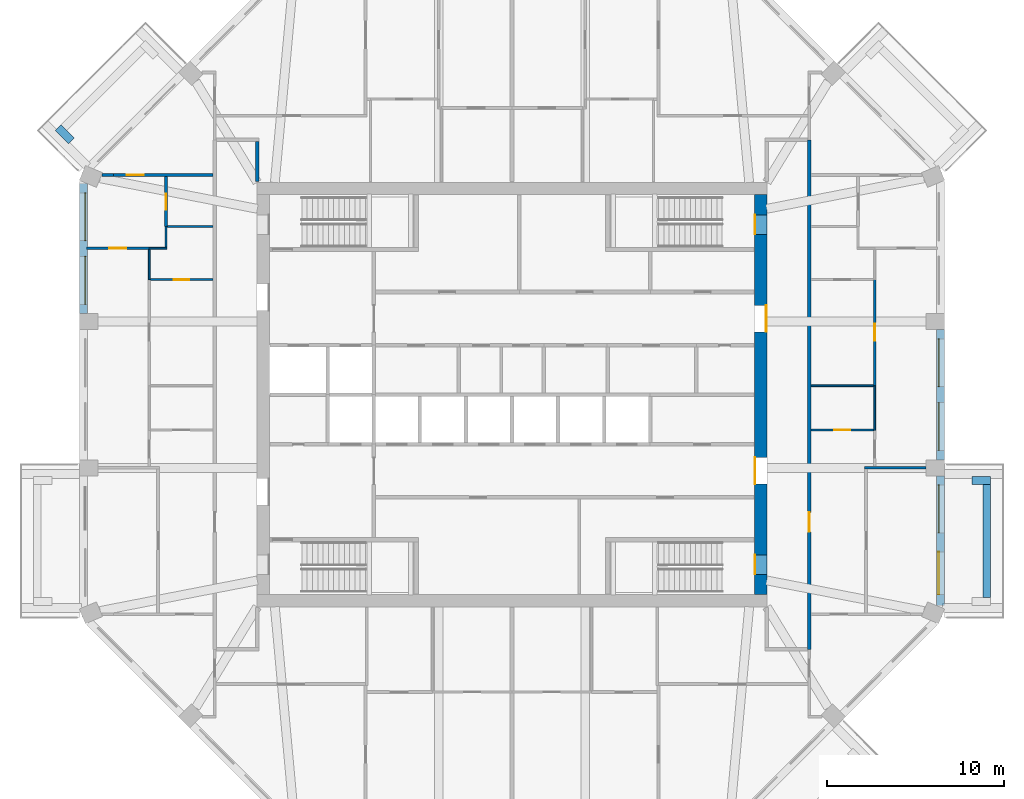
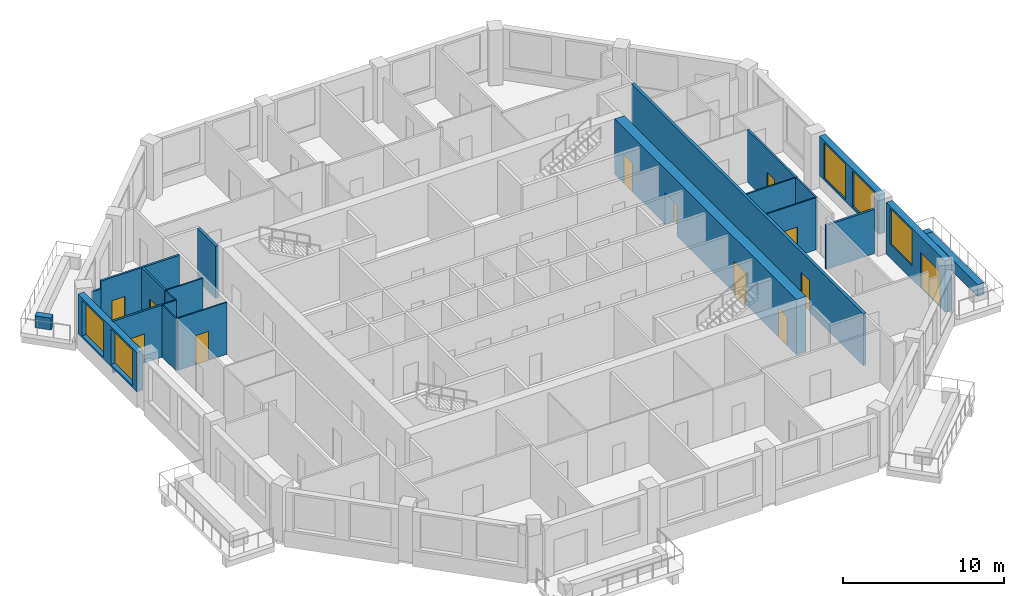
# One storey, part 6 of 10: 23 walls, 12 doors, 5 windows, 17 openings.
"""IFC4 building model written with IfcOpenShell, lengths in metres."""

from ifc_helpers import new_model, si_unit, direction, frame, frame_2d, origin, place, context, subcontext, project, spatial, rectangle, extrude, material, layer, layer_set, type_object, element, fill, save


model = new_model("IFC4")

# Units and contexts
model_context = context("Model", 3, precision=1e-05, world=origin(), true_north=direction((0.0, 1.0)))
body_context = subcontext(model_context, "Body", "Model", "MODEL_VIEW")
ifc_project = project(units=[si_unit("LENGTHUNIT", "METRE"), si_unit("AREAUNIT", "SQUARE_METRE"), si_unit("VOLUMEUNIT", "CUBIC_METRE"), si_unit("PLANEANGLEUNIT", "RADIAN"), si_unit("MASSUNIT", "GRAM", prefix="KILO")], contexts=[model_context])

# Site, building, storey
site_placement = place(None, origin())
site = spatial("IfcSite", under=ifc_project, at=site_placement, CompositionType="ELEMENT")
building_placement = place(site_placement, origin())
building = spatial("IfcBuilding", under=site, at=building_placement, Name="Msitu Wima Residences", CompositionType="ELEMENT")
storey_placement = place(building_placement, frame((0.0, 0.0, 195.89990234375)))
storey = spatial("IfcBuildingStorey", under=building, at=storey_placement, Name="L45", CompositionType="ELEMENT", Elevation=195.89990234375)

# Walls
ifc_material_1 = material(Name="Facing brick")
ifc_layer_1 = layer(ifc_material_1, 0.06494140625, Name="Facing brick")
ifc_material_2 = material(Name="Concrete C40/50", Category="concrete")
ifc_layer_2 = layer(ifc_material_2, 0.156005859375, Name="Concrete C40/50")
ifc_material_3 = material(Name="Waterproofing membrane")
ifc_layer_3 = layer(ifc_material_3, 0.00390625, Name="Waterproofing membrane")
ifc_material_4 = material(Name="Planting soil and planting")
ifc_layer_4 = layer(ifc_material_4, 0.22509765625, Name="Planting soil and planting")
ifc_layer_set_1 = layer_set([ifc_layer_1, ifc_layer_2, ifc_layer_3, ifc_layer_4], Name="Concrete C40/50")
wall_type_1 = type_object("IfcWallType", Name="Balcony planter PLANTER PL450", PredefinedType="USERDEFINED", material=ifc_layer_set_1)
wall_1_placement = place(storey_placement, frame((26.824951171875, -11.461669921875, 0.0), z_axis=(0.0, 0.0, 1.0), x_axis=(0.0, 1.0, 0.0)))
element("IfcWall", 1, at=wall_1_placement, inside=storey, type_object=wall_type_1, Name="Balcony planter E0 L45", ObjectType="PLANTER", PredefinedType="USERDEFINED", context=body_context, shape_type="SweptSolid", body=[
    extrude(rectangle(XDim=6.37451171875, YDim=0.449951171875, at=frame_2d((3.187255859375, 0.0))), origin(), (0.0, 0.0, 1.0), 0.900146484375),
])
for number, where, z_axis, x_axis, name in (
    (2, (26.0, -4.8623046875, 0.0), (0.0, 0.0, 1.0), (1.0, 0.0, 0.0), "Balcony planter E0 L45"),
    (3, (-24.901611328125, 14.338623046875, 0.0), (0.0, 0.0, 1.0), (-0.707106781187, 0.707106781187, 0.0), "Balcony planter NW1 L45"),
):
    element("IfcWall", number, at=place(storey_placement, frame(where, z_axis=z_axis, x_axis=x_axis)), inside=storey, type_object=wall_type_1, Name=name, ObjectType="PLANTER", PredefinedType="USERDEFINED", context=body_context, shape_type="SweptSolid", body=[
        extrude(rectangle(XDim=1.050048828125, YDim=0.449951171875, at=frame_2d((0.52490234375, 0.0))), origin(), (0.0, 0.0, 1.0), 0.900146484375),
    ])

# Wall, openings, door, window
ifc_material_5 = material(Name="Brick (red buff mix)", Category="masonry")
ifc_layer_5 = layer(ifc_material_5, 0.449951171875)
ifc_layer_set_2 = layer_set([ifc_layer_5], Name="Brick (red buff mix)")
wall_type_2 = type_object("IfcWallType", Name="Brick infill wall BW450", PredefinedType="SOLIDWALL", material=ifc_layer_set_2)
wall_2_placement = place(storey_placement, frame((24.22509765625, -11.9248046875, 0.0), z_axis=(0.0, 0.0, 1.0), x_axis=(0.0, 1.0, 0.0)))
wall_2 = element("IfcWall", 4, at=wall_2_placement, inside=storey, type_object=wall_type_2, Name="Brick infill wall L45 E0", PredefinedType="SOLIDWALL", context=body_context, shape_type="SweptSolid", body=[
    extrude(rectangle(XDim=7.337646484375, YDim=0.449951171875, at=frame_2d((3.6689453125, 0.0))), origin(), (0.0, 0.0, 1.0), 3.900146484375),
])
opening_1_placement = place(wall_2_placement, frame((0.63427734375, 0.0, 0.0)))
opening_1 = element("IfcOpeningElement", 5, at=opening_1_placement, cuts=wall_2, Name="Opening D43-45.001", PredefinedType="OPENING", context=body_context, shape_type="SweptSolid", body=[
    extrude(rectangle(XDim=2.39990234375, YDim=2.699951171875, at=frame_2d((1.199951171875, 1.35009765625))), frame((0.0, 0.23486328125, 0.0), z_axis=(0.0, -1.0, 0.0), x_axis=(1.0, 0.0, 0.0)), (0.0, 0.0, 1.0), 0.469970703125),
])
opening_2_placement = place(wall_2_placement, frame((4.11865234375, 0.0, 1.050048828125)))
opening_2 = element("IfcOpeningElement", 6, at=opening_2_placement, cuts=wall_2, Name="Opening W43-45.001", PredefinedType="OPENING", context=body_context, shape_type="SweptSolid", body=[
    extrude(rectangle(XDim=2.699951171875, YDim=2.699951171875, at=frame_2d((1.35009765625, 1.35009765625))), frame((0.0, 0.23486328125, 0.0), z_axis=(0.0, -1.0, 0.0), x_axis=(1.0, 0.0, 0.0)), (0.0, 0.0, 1.0), 0.469970703125),
])
ifc_material_6 = material(Name="Anodised aluminium, bronze finish, clear low-emissivity double glazing", Category="aluminium")
door_type_1 = type_object("IfcDoorType", Name="Balcony door D2400x2700", OperationType="SLIDING_TO_LEFT", PredefinedType="DOOR", material=ifc_material_6)
door_1_placement = place(opening_1_placement, origin())
door_1 = element("IfcDoor", 7, at=door_1_placement, inside=storey, type_object=door_type_1, Name="Balcony door L45 E0", OperationType="SINGLE_SWING_LEFT", OverallHeight=2.699951171875, OverallWidth=2.39990234375, PredefinedType="DOOR", context=body_context, shape_type="SweptSolid", body=[
    extrude(rectangle(XDim=2.39990234375, YDim=2.699951171875, at=frame_2d((1.199951171875, 1.35009765625))), frame((0.0, 0.1298828125, 0.0), z_axis=(0.0, -1.0, 0.0), x_axis=(1.0, 0.0, 0.0)), (0.0, 0.0, 1.0), 0.050048828125),
])
fill(opening_1, door_1)
window_type = type_object("IfcWindowType", Name="Window W2700x2700", PartitioningType="DOUBLE_PANEL_VERTICAL", PredefinedType="WINDOW", material=ifc_material_6)
window_1_placement = place(opening_2_placement, origin())
window_1 = element("IfcWindow", 8, at=window_1_placement, inside=storey, type_object=window_type, Name="Window L45 E0.2", OverallHeight=2.699951171875, OverallWidth=2.699951171875, PartitioningType="SINGLE_PANEL", PredefinedType="WINDOW", context=body_context, shape_type="SweptSolid", body=[
    extrude(rectangle(XDim=2.699951171875, YDim=2.699951171875, at=frame_2d((1.35009765625, 1.35009765625))), frame((0.0, 0.135009765625, 0.0), z_axis=(0.0, -1.0, 0.0), x_axis=(1.0, 0.0, 0.0)), (0.0, 0.0, 1.0), 0.06005859375),
])
fill(opening_2, window_1)

# Wall, openings, windows
wall_3_placement = place(storey_placement, frame((24.22509765625, -3.687255859375, 0.900146484375), z_axis=(0.0, 0.0, 1.0), x_axis=(0.0, 1.0, 0.0)))
wall_3 = element("IfcWall", 9, at=wall_3_placement, inside=storey, type_object=wall_type_2, Name="Brick infill wall L45 E1", PredefinedType="SOLIDWALL", context=body_context, shape_type="SweptSolid", body=[
    extrude(rectangle(XDim=7.37451171875, YDim=0.449951171875, at=frame_2d((3.687255859375, 0.0))), origin(), (0.0, 0.0, 1.0), 3.0),
])
opening_3_placement = place(wall_3_placement, frame((0.537353515625, 0.0, 0.14990234375)))
opening_3 = element("IfcOpeningElement", 10, at=opening_3_placement, cuts=wall_3, Name="Opening W43-45.002", PredefinedType="OPENING", context=body_context, shape_type="SweptSolid", body=[
    extrude(rectangle(XDim=2.699951171875, YDim=2.699951171875, at=frame_2d((1.35009765625, 1.35009765625))), frame((0.0, 0.23486328125, 0.0), z_axis=(0.0, -1.0, 0.0), x_axis=(1.0, 0.0, 0.0)), (0.0, 0.0, 1.0), 0.469970703125),
])
opening_4_placement = place(wall_3_placement, frame((4.13720703125, 0.0, 0.14990234375)))
opening_4 = element("IfcOpeningElement", 11, at=opening_4_placement, cuts=wall_3, Name="Opening W43-45.003", PredefinedType="OPENING", context=body_context, shape_type="SweptSolid", body=[
    extrude(rectangle(XDim=2.699951171875, YDim=2.699951171875, at=frame_2d((1.35009765625, 1.35009765625))), frame((0.0, 0.23486328125, 0.0), z_axis=(0.0, -1.0, 0.0), x_axis=(1.0, 0.0, 0.0)), (0.0, 0.0, 1.0), 0.469970703125),
])
window_2_placement = place(opening_3_placement, origin())
window_2 = element("IfcWindow", 12, at=window_2_placement, inside=storey, type_object=window_type, Name="Window L45 E1.1", OverallHeight=2.699951171875, OverallWidth=2.699951171875, PartitioningType="SINGLE_PANEL", PredefinedType="WINDOW", context=body_context, shape_type="SweptSolid", body=[
    extrude(rectangle(XDim=2.699951171875, YDim=2.699951171875, at=frame_2d((1.35009765625, 1.35009765625))), frame((0.0, 0.135009765625, 0.0), z_axis=(0.0, -1.0, 0.0), x_axis=(1.0, 0.0, 0.0)), (0.0, 0.0, 1.0), 0.06005859375),
])
fill(opening_3, window_2)
window_3_placement = place(opening_4_placement, origin())
window_3 = element("IfcWindow", 13, at=window_3_placement, inside=storey, type_object=window_type, Name="Window L45 E1.2", OverallHeight=2.699951171875, OverallWidth=2.699951171875, PartitioningType="SINGLE_PANEL", PredefinedType="WINDOW", context=body_context, shape_type="SweptSolid", body=[
    extrude(rectangle(XDim=2.699951171875, YDim=2.699951171875, at=frame_2d((1.35009765625, 1.35009765625))), frame((0.0, 0.135009765625, 0.0), z_axis=(0.0, -1.0, 0.0), x_axis=(1.0, 0.0, 0.0)), (0.0, 0.0, 1.0), 0.06005859375),
])
fill(opening_4, window_3)

wall_4_placement = place(storey_placement, frame((-24.22509765625, 11.9248046875, 0.900146484375), z_axis=(0.0, 0.0, 1.0), x_axis=(0.0, -1.0, 0.0)))
wall_4 = element("IfcWall", 14, at=wall_4_placement, inside=storey, type_object=wall_type_2, Name="Brick infill wall L45 W0", PredefinedType="SOLIDWALL", context=body_context, shape_type="SweptSolid", body=[
    extrude(rectangle(XDim=7.337646484375, YDim=0.449951171875, at=frame_2d((3.6689453125, 0.0))), origin(), (0.0, 0.0, 1.0), 3.0),
])
opening_5_placement = place(wall_4_placement, frame((0.518798828125, 0.0, 0.14990234375)))
opening_5 = element("IfcOpeningElement", 15, at=opening_5_placement, cuts=wall_4, Name="Opening W43-45.029", PredefinedType="OPENING", context=body_context, shape_type="SweptSolid", body=[
    extrude(rectangle(XDim=2.699951171875, YDim=2.699951171875, at=frame_2d((1.35009765625, 1.35009765625))), frame((0.0, 0.23486328125, 0.0), z_axis=(0.0, -1.0, 0.0), x_axis=(1.0, 0.0, 0.0)), (0.0, 0.0, 1.0), 0.469970703125),
])
opening_6_placement = place(wall_4_placement, frame((4.11865234375, 0.0, 0.14990234375)))
opening_6 = element("IfcOpeningElement", 16, at=opening_6_placement, cuts=wall_4, Name="Opening W43-45.030", PredefinedType="OPENING", context=body_context, shape_type="SweptSolid", body=[
    extrude(rectangle(XDim=2.699951171875, YDim=2.699951171875, at=frame_2d((1.35009765625, 1.35009765625))), frame((0.0, 0.23486328125, 0.0), z_axis=(0.0, -1.0, 0.0), x_axis=(1.0, 0.0, 0.0)), (0.0, 0.0, 1.0), 0.469970703125),
])
window_4_placement = place(opening_5_placement, origin())
window_4 = element("IfcWindow", 17, at=window_4_placement, inside=storey, type_object=window_type, Name="Window L45 W0.1", OverallHeight=2.699951171875, OverallWidth=2.699951171875, PartitioningType="SINGLE_PANEL", PredefinedType="WINDOW", context=body_context, shape_type="SweptSolid", body=[
    extrude(rectangle(XDim=2.699951171875, YDim=2.699951171875, at=frame_2d((1.35009765625, 1.35009765625))), frame((0.0, 0.135009765625, 0.0), z_axis=(0.0, -1.0, 0.0), x_axis=(1.0, 0.0, 0.0)), (0.0, 0.0, 1.0), 0.06005859375),
])
fill(opening_5, window_4)
window_5_placement = place(opening_6_placement, origin())
window_5 = element("IfcWindow", 18, at=window_5_placement, inside=storey, type_object=window_type, Name="Window L45 W0.2", OverallHeight=2.699951171875, OverallWidth=2.699951171875, PartitioningType="SINGLE_PANEL", PredefinedType="WINDOW", context=body_context, shape_type="SweptSolid", body=[
    extrude(rectangle(XDim=2.699951171875, YDim=2.699951171875, at=frame_2d((1.35009765625, 1.35009765625))), frame((0.0, 0.135009765625, 0.0), z_axis=(0.0, -1.0, 0.0), x_axis=(1.0, 0.0, 0.0)), (0.0, 0.0, 1.0), 0.06005859375),
])
fill(opening_6, window_5)

# Wall, openings, doors
ifc_material_7 = material(Name="Concrete C60/75", Category="concrete")
ifc_layer_6 = layer(ifc_material_7, 0.699951171875)
ifc_layer_set_3 = layer_set([ifc_layer_6], Name="Concrete C60/75")
wall_type_3 = type_object("IfcWallType", Name="Core wall CW700 C60/75", PredefinedType="SHEAR", material=ifc_layer_set_3)
wall_5_placement = place(storey_placement, frame((14.050048828125, -11.300048828125, 0.0), z_axis=(0.0, 0.0, 1.0), x_axis=(0.0, 1.0, 0.0)))
wall_5 = element("IfcWall", 19, at=wall_5_placement, inside=storey, type_object=wall_type_3, Name="Core wall", PredefinedType="SHEAR", context=body_context, shape_type="SweptSolid", body=[
    extrude(rectangle(XDim=22.60009765625, YDim=0.699951171875, at=frame_2d((11.300048828125, 0.0))), origin(), (0.0, 0.0, 1.0), 4.2001953125),
])
opening_7_placement = place(wall_5_placement, frame((20.35009765625, 0.0, 0.0)))
opening_7 = element("IfcOpeningElement", 20, at=opening_7_placement, cuts=wall_5, Name="Opening D43-45.073", PredefinedType="OPENING", context=body_context, shape_type="SweptSolid", body=[
    extrude(rectangle(XDim=1.10009765625, YDim=2.199951171875, at=frame_2d((0.550048828125, 1.10009765625))), frame((0.0, 0.35986328125, 0.0), z_axis=(0.0, -1.0, 0.0), x_axis=(1.0, 0.0, 0.0)), (0.0, 0.0, 1.0), 0.719970703125),
])
opening_8_placement = place(wall_5_placement, frame((1.14990234375, 0.0, 0.0)))
opening_8 = element("IfcOpeningElement", 21, at=opening_8_placement, cuts=wall_5, Name="Opening D43-45.074", PredefinedType="OPENING", context=body_context, shape_type="SweptSolid", body=[
    extrude(rectangle(XDim=1.10009765625, YDim=2.199951171875, at=frame_2d((0.550048828125, 1.10009765625))), frame((0.0, 0.35986328125, 0.0), z_axis=(0.0, -1.0, 0.0), x_axis=(1.0, 0.0, 0.0)), (0.0, 0.0, 1.0), 0.719970703125),
])
opening_9_placement = place(wall_5_placement, frame((14.85009765625, 0.0, 0.0)))
opening_9 = element("IfcOpeningElement", 22, at=opening_9_placement, cuts=wall_5, Name="Opening D43-45.060", PredefinedType="OPENING", context=body_context, shape_type="SweptSolid", body=[
    extrude(rectangle(XDim=1.5, YDim=2.39990234375, at=frame_2d((0.75, 1.199951171875))), frame((0.0, 0.35986328125, 0.0), z_axis=(0.0, -1.0, 0.0), x_axis=(1.0, 0.0, 0.0)), (0.0, 0.0, 1.0), 0.719970703125),
])
opening_10_placement = place(wall_5_placement, frame((6.25, 0.0, 0.0)))
opening_10 = element("IfcOpeningElement", 23, at=opening_10_placement, cuts=wall_5, Name="Opening D43-45.061", PredefinedType="OPENING", context=body_context, shape_type="SweptSolid", body=[
    extrude(rectangle(XDim=1.5, YDim=2.39990234375, at=frame_2d((0.75, 1.199951171875))), frame((0.0, 0.35986328125, 0.0), z_axis=(0.0, -1.0, 0.0), x_axis=(1.0, 0.0, 0.0)), (0.0, 0.0, 1.0), 0.719970703125),
])
ifc_material_8 = material(Name="Steel framed glazed door, fire resisting", Category="steel")
door_type_2 = type_object("IfcDoorType", Name="Lobby door D07 1500x2400", OperationType="DOUBLE_DOOR_SINGLE_SWING", PredefinedType="DOOR", material=ifc_material_8)
door_2_placement = place(opening_9_placement, origin())
door_2 = element("IfcDoor", 24, at=door_2_placement, inside=storey, type_object=door_type_2, Name="Lobby door", OperationType="DOUBLE_DOOR_SINGLE_SWING", OverallHeight=2.39990234375, OverallWidth=1.5, PredefinedType="DOOR", context=body_context, shape_type="SweptSolid", body=[
    extrude(rectangle(XDim=1.5, YDim=2.39990234375, at=frame_2d((0.75, 1.199951171875))), frame((0.0, -0.294921875, 0.0), z_axis=(0.0, -1.0, 0.0), x_axis=(1.0, 0.0, 0.0)), (0.0, 0.0, 1.0), 0.050048828125),
])
fill(opening_9, door_2)
door_3_placement = place(opening_10_placement, origin())
door_3 = element("IfcDoor", 25, at=door_3_placement, inside=storey, type_object=door_type_2, Name="Lobby door", OperationType="DOUBLE_DOOR_SINGLE_SWING", OverallHeight=2.39990234375, OverallWidth=1.5, PredefinedType="DOOR", context=body_context, shape_type="SweptSolid", body=[
    extrude(rectangle(XDim=1.5, YDim=2.39990234375, at=frame_2d((0.75, 1.199951171875))), frame((0.0, 0.34521484375, 0.0), z_axis=(0.0, -1.0, 0.0), x_axis=(1.0, 0.0, 0.0)), (0.0, 0.0, 1.0), 0.050048828125),
])
fill(opening_10, door_3)
ifc_material_9 = material(Name="Steel door, fire resisting, panic bar", Category="steel")
door_type_3 = type_object("IfcDoorType", Name="Stair door D06 1100x2200", OperationType="SINGLE_SWING_LEFT", PredefinedType="DOOR", material=ifc_material_9)
door_4_placement = place(opening_7_placement, origin())
door_4 = element("IfcDoor", 26, at=door_4_placement, inside=storey, type_object=door_type_3, Name="Stair door", OperationType="SINGLE_SWING_LEFT", OverallHeight=2.199951171875, OverallWidth=1.10009765625, PredefinedType="DOOR", context=body_context, shape_type="SweptSolid", body=[
    extrude(rectangle(XDim=1.10009765625, YDim=2.199951171875, at=frame_2d((0.550048828125, 1.10009765625))), frame((0.0, 0.34521484375, 0.0), z_axis=(0.0, -1.0, 0.0), x_axis=(1.0, 0.0, 0.0)), (0.0, 0.0, 1.0), 0.050048828125),
])
fill(opening_7, door_4)
door_5_placement = place(opening_8_placement, origin())
door_5 = element("IfcDoor", 27, at=door_5_placement, inside=storey, type_object=door_type_3, Name="Stair door", OperationType="SINGLE_SWING_RIGHT", OverallHeight=2.199951171875, OverallWidth=1.10009765625, PredefinedType="DOOR", context=body_context, shape_type="SweptSolid", body=[
    extrude(rectangle(XDim=1.10009765625, YDim=2.199951171875, at=frame_2d((0.550048828125, 1.10009765625))), frame((0.0, 0.34521484375, 0.0), z_axis=(0.0, -1.0, 0.0), x_axis=(1.0, 0.0, 0.0)), (0.0, 0.0, 1.0), 0.050048828125),
])
fill(opening_8, door_5)

# Wall
ifc_material_10 = material(Name="Plaster")
ifc_layer_7 = layer(ifc_material_10, 0.011962890625, Name="Plaster")
ifc_material_11 = material(Name="Concrete blockwork", Category="masonry")
ifc_layer_8 = layer(ifc_material_11, 0.176025390625, Name="Concrete blockwork")
ifc_layer_9 = layer(ifc_material_10, 0.011962890625, Name="Plaster")
ifc_layer_set_4 = layer_set([ifc_layer_7, ifc_layer_8, ifc_layer_9], Name="Concrete blockwork")
wall_type_4 = type_object("IfcWallType", Name="Corridor wall FW200", PredefinedType="PARTITIONING", material=ifc_layer_set_4)
wall_6_placement = place(storey_placement, frame((-14.39990234375, 12.030029296875, 0.0), z_axis=(0.0, 0.0, 1.0), x_axis=(0.0, 1.0, 0.0)))
element("IfcWall", 28, at=wall_6_placement, inside=storey, type_object=wall_type_4, Name="Corridor wall", PredefinedType="PARTITIONING", context=body_context, shape_type="SweptSolid", body=[
    extrude(rectangle(XDim=2.27001953125, YDim=0.199951171875, at=frame_2d((1.135009765625, 0.0))), origin(), (0.0, 0.0, 1.0), 3.9501953125),
])

# Wall, opening, door
wall_7_placement = place(storey_placement, frame((16.800048828125, -14.39990234375, 0.0), z_axis=(0.0, 0.0, 1.0), x_axis=(0.0, 1.0, 0.0)))
wall_7 = element("IfcWall", 29, at=wall_7_placement, inside=storey, type_object=wall_type_4, Name="Corridor wall", PredefinedType="PARTITIONING", context=body_context, shape_type="SweptSolid", body=[
    extrude(rectangle(XDim=28.7998046875, YDim=0.199951171875, at=frame_2d((14.39990234375, 0.0))), origin(), (0.0, 0.0, 1.0), 3.9501953125),
])
opening_11_placement = place(wall_7_placement, frame((6.64990234375, 0.0, 0.0)))
opening_11 = element("IfcOpeningElement", 30, at=opening_11_placement, cuts=wall_7, Name="Opening D43-45.008", PredefinedType="OPENING", context=body_context, shape_type="SweptSolid", body=[
    extrude(rectangle(XDim=1.10009765625, YDim=2.39990234375, at=frame_2d((0.550048828125, 1.199951171875))), frame((0.0, 0.10986328125, 0.0), z_axis=(0.0, -1.0, 0.0), x_axis=(1.0, 0.0, 0.0)), (0.0, 0.0, 1.0), 0.219970703125),
])
ifc_material_12 = material(Name="Timber flush door, fire resisting, self-closing", Category="wood")
door_type_4 = type_object("IfcDoorType", Name="Flat entrance door D01 1100x2400", OperationType="SINGLE_SWING_LEFT", PredefinedType="DOOR", material=ifc_material_12)
door_6_placement = place(opening_11_placement, origin())
door_6 = element("IfcDoor", 31, at=door_6_placement, inside=storey, type_object=door_type_4, Name="Flat entrance door", OperationType="SINGLE_SWING_RIGHT", OverallHeight=2.39990234375, OverallWidth=1.10009765625, PredefinedType="DOOR", context=body_context, shape_type="SweptSolid", body=[
    extrude(rectangle(XDim=1.10009765625, YDim=2.39990234375, at=frame_2d((0.550048828125, 1.199951171875))), frame((0.0, 0.02490234375, 0.0), z_axis=(0.0, -1.0, 0.0), x_axis=(1.0, 0.0, 0.0)), (0.0, 0.0, 1.0), 0.050048828125),
])
fill(opening_11, door_6)

ifc_layer_10 = layer(ifc_material_10, 0.011962890625, Name="Plaster")
ifc_layer_11 = layer(ifc_material_11, 0.1259765625, Name="Concrete blockwork")
ifc_layer_12 = layer(ifc_material_10, 0.011962890625, Name="Plaster")
ifc_layer_set_5 = layer_set([ifc_layer_10, ifc_layer_11, ifc_layer_12], Name="Concrete blockwork")
wall_type_5 = type_object("IfcWallType", Name="Partition PW150", PredefinedType="PARTITIONING", material=ifc_layer_set_5)
wall_8_placement = place(storey_placement, frame((-24.054931640625, 8.27001953125, 0.0), z_axis=(0.0, 0.0, 1.0), x_axis=(1.0, 0.0, 0.0)))
wall_8 = element("IfcWall", 32, at=wall_8_placement, inside=storey, type_object=wall_type_5, Name="Partition", PredefinedType="PARTITIONING", context=body_context, shape_type="SweptSolid", body=[
    extrude(rectangle(XDim=3.554931640625, YDim=0.14990234375, at=frame_2d((1.77734375, 0.0))), origin(), (0.0, 0.0, 1.0), 3.9501953125),
])
opening_12_placement = place(wall_8_placement, frame((1.300048828125, 0.0, 0.0)))
opening_12 = element("IfcOpeningElement", 33, at=opening_12_placement, cuts=wall_8, Name="Opening D43-45.045", PredefinedType="OPENING", context=body_context, shape_type="SweptSolid", body=[
    extrude(rectangle(XDim=0.949951171875, YDim=2.199951171875, at=frame_2d((0.47509765625, 1.10009765625))), frame((0.0, 0.0849609375, 0.0), z_axis=(0.0, -1.0, 0.0), x_axis=(1.0, 0.0, 0.0)), (0.0, 0.0, 1.0), 0.169921875),
])
ifc_material_13 = material(Name="Timber flush door", Category="wood")
door_type_5 = type_object("IfcDoorType", Name="Room door D12 950x2200", OperationType="SINGLE_SWING_LEFT", PredefinedType="DOOR", material=ifc_material_13)
door_7_placement = place(opening_12_placement, origin())
door_7 = element("IfcDoor", 34, at=door_7_placement, inside=storey, type_object=door_type_5, Name="Room door", OperationType="SINGLE_SWING_LEFT", OverallHeight=2.199951171875, OverallWidth=0.949951171875, PredefinedType="DOOR", context=body_context, shape_type="SweptSolid", body=[
    extrude(rectangle(XDim=0.949951171875, YDim=2.199951171875, at=frame_2d((0.47509765625, 1.10009765625))), frame((0.0, 0.02490234375, 0.0), z_axis=(0.0, -1.0, 0.0), x_axis=(1.0, 0.0, 0.0)), (0.0, 0.0, 1.0), 0.050048828125),
])
fill(opening_12, door_7)

# Wall
wall_9_placement = place(storey_placement, frame((-23.169677734375, 12.409912109375, 0.0), z_axis=(0.0, 0.0, 1.0), x_axis=(1.0, 0.0, 0.0)))
element("IfcWall", 35, at=wall_9_placement, inside=storey, type_object=wall_type_5, Name="Partition", PredefinedType="PARTITIONING", context=body_context, shape_type="SweptSolid", body=[
    extrude(rectangle(XDim=0.640380859375, YDim=0.14990234375, at=frame_2d((0.3203125, 0.0))), origin(), (0.0, 0.0, 1.0), 3.35009765625),
])

# Wall, opening, door
wall_10_placement = place(storey_placement, frame((-22.529296875, 12.409912109375, 0.0), z_axis=(0.0, 0.0, 1.0), x_axis=(1.0, 0.0, 0.0)))
wall_10 = element("IfcWall", 36, at=wall_10_placement, inside=storey, type_object=wall_type_5, Name="Partition", PredefinedType="PARTITIONING", context=body_context, shape_type="SweptSolid", body=[
    extrude(rectangle(XDim=5.62939453125, YDim=0.14990234375, at=frame_2d((2.814697265625, 0.0))), origin(), (0.0, 0.0, 1.0), 3.9501953125),
])
opening_13_placement = place(wall_10_placement, frame((0.759521484375, 0.0, 0.0)))
opening_13 = element("IfcOpeningElement", 37, at=opening_13_placement, cuts=wall_10, Name="Opening D43-45.046", PredefinedType="OPENING", context=body_context, shape_type="SweptSolid", body=[
    extrude(rectangle(XDim=0.949951171875, YDim=2.199951171875, at=frame_2d((0.47509765625, 1.10009765625))), frame((0.0, 0.0849609375, 0.0), z_axis=(0.0, -1.0, 0.0), x_axis=(1.0, 0.0, 0.0)), (0.0, 0.0, 1.0), 0.169921875),
])
door_8_placement = place(opening_13_placement, origin())
door_8 = element("IfcDoor", 38, at=door_8_placement, inside=storey, type_object=door_type_5, Name="Room door", OperationType="SINGLE_SWING_LEFT", OverallHeight=2.199951171875, OverallWidth=0.949951171875, PredefinedType="DOOR", context=body_context, shape_type="SweptSolid", body=[
    extrude(rectangle(XDim=0.949951171875, YDim=2.199951171875, at=frame_2d((0.47509765625, 1.10009765625))), frame((0.0, 0.02490234375, 0.0), z_axis=(0.0, -1.0, 0.0), x_axis=(1.0, 0.0, 0.0)), (0.0, 0.0, 1.0), 0.050048828125),
])
fill(opening_13, door_8)

wall_11_placement = place(storey_placement, frame((-19.550048828125, 9.5, 0.0), z_axis=(0.0, 0.0, 1.0), x_axis=(0.0, 1.0, 0.0)))
wall_11 = element("IfcWall", 39, at=wall_11_placement, inside=storey, type_object=wall_type_5, Name="Partition", PredefinedType="PARTITIONING", context=body_context, shape_type="SweptSolid", body=[
    extrude(rectangle(XDim=2.8349609375, YDim=0.14990234375, at=frame_2d((1.41748046875, 0.0))), origin(), (0.0, 0.0, 1.0), 3.9501953125),
])
opening_14_placement = place(wall_11_placement, frame((0.949951171875, 0.0, 0.0)))
opening_14 = element("IfcOpeningElement", 40, at=opening_14_placement, cuts=wall_11, Name="Opening D43-45.033", PredefinedType="OPENING", context=body_context, shape_type="SweptSolid", body=[
    extrude(rectangle(XDim=0.89990234375, YDim=2.199951171875, at=frame_2d((0.449951171875, 1.10009765625))), frame((0.0, 0.0849609375, 0.0), z_axis=(0.0, -1.0, 0.0), x_axis=(1.0, 0.0, 0.0)), (0.0, 0.0, 1.0), 0.169921875),
])
door_type_6 = type_object("IfcDoorType", Name="Service door D05 900x2200", OperationType="SINGLE_SWING_LEFT", PredefinedType="DOOR", material=ifc_material_13)
door_9_placement = place(opening_14_placement, origin())
door_9 = element("IfcDoor", 41, at=door_9_placement, inside=storey, type_object=door_type_6, Name="Service door", OperationType="SINGLE_SWING_RIGHT", OverallHeight=2.199951171875, OverallWidth=0.89990234375, PredefinedType="DOOR", context=body_context, shape_type="SweptSolid", body=[
    extrude(rectangle(XDim=0.89990234375, YDim=2.199951171875, at=frame_2d((0.449951171875, 1.10009765625))), frame((0.0, 0.02490234375, 0.0), z_axis=(0.0, -1.0, 0.0), x_axis=(1.0, 0.0, 0.0)), (0.0, 0.0, 1.0), 0.050048828125),
])
fill(opening_14, door_9)

# Wall
wall_12_placement = place(storey_placement, frame((19.925048828125, -4.139892578125, 0.0), z_axis=(0.0, 0.0, 1.0), x_axis=(1.0, 0.0, 0.0)))
element("IfcWall", 42, at=wall_12_placement, inside=storey, type_object=wall_type_5, Name="Partition", PredefinedType="PARTITIONING", context=body_context, shape_type="SweptSolid", body=[
    extrude(rectangle(XDim=3.474853515625, YDim=0.14990234375, at=frame_2d((1.7373046875, 0.0))), origin(), (0.0, 0.0, 1.0), 3.35009765625),
])

# Wall, opening, door
wall_13_placement = place(storey_placement, frame((20.5, 0.5, 0.0), z_axis=(0.0, 0.0, 1.0), x_axis=(0.0, 1.0, 0.0)))
wall_13 = element("IfcWall", 43, at=wall_13_placement, inside=storey, type_object=wall_type_5, Name="Partition", PredefinedType="PARTITIONING", context=body_context, shape_type="SweptSolid", body=[
    extrude(rectangle(XDim=6.0, YDim=0.14990234375, at=frame_2d((3.0, 0.0))), origin(), (0.0, 0.0, 1.0), 3.9501953125),
])
opening_15_placement = place(wall_13_placement, frame((2.550048828125, 0.0, 0.0)))
opening_15 = element("IfcOpeningElement", 44, at=opening_15_placement, cuts=wall_13, Name="Opening D43-45.010", PredefinedType="OPENING", context=body_context, shape_type="SweptSolid", body=[
    extrude(rectangle(XDim=0.949951171875, YDim=2.199951171875, at=frame_2d((0.47509765625, 1.10009765625))), frame((0.0, 0.0849609375, 0.0), z_axis=(0.0, -1.0, 0.0), x_axis=(1.0, 0.0, 0.0)), (0.0, 0.0, 1.0), 0.169921875),
])
door_10_placement = place(opening_15_placement, origin())
door_10 = element("IfcDoor", 45, at=door_10_placement, inside=storey, type_object=door_type_5, Name="Room door", OperationType="SINGLE_SWING_LEFT", OverallHeight=2.199951171875, OverallWidth=0.949951171875, PredefinedType="DOOR", context=body_context, shape_type="SweptSolid", body=[
    extrude(rectangle(XDim=0.949951171875, YDim=2.199951171875, at=frame_2d((0.47509765625, 1.10009765625))), frame((0.0, 0.02490234375, 0.0), z_axis=(0.0, -1.0, 0.0), x_axis=(1.0, 0.0, 0.0)), (0.0, 0.0, 1.0), 0.050048828125),
])
fill(opening_15, door_10)

# Wall
ifc_material_14 = material(Name="Ceramic tiles")
ifc_layer_13 = layer(ifc_material_14, 0.008056640625, Name="Ceramic tiles")
ifc_material_15 = material(Name="Moisture-resistant board")
ifc_layer_14 = layer(ifc_material_15, 0.012451171875, Name="Moisture-resistant board")
ifc_material_16 = material(Name="Light-gauge stud framing with mineral wool")
ifc_layer_15 = layer(ifc_material_16, 0.06689453125, Name="Light-gauge stud framing with mineral wool")
ifc_layer_16 = layer(ifc_material_15, 0.012451171875, Name="Moisture-resistant board")
ifc_layer_set_6 = layer_set([ifc_layer_13, ifc_layer_14, ifc_layer_15, ifc_layer_16], Name="Light-gauge stud framing with mineral wool")
wall_type_6 = type_object("IfcWallType", Name="Wet wall PW100", PredefinedType="PARTITIONING", material=ifc_layer_set_6)
wall_14_placement = place(storey_placement, frame((-20.5, 6.5, 0.0), z_axis=(0.0, 0.0, 1.0), x_axis=(0.0, 1.0, 0.0)))
element("IfcWall", 46, at=wall_14_placement, inside=storey, type_object=wall_type_6, Name="Wet wall", PredefinedType="PARTITIONING", context=body_context, shape_type="SweptSolid", body=[
    extrude(rectangle(XDim=1.695068359375, YDim=0.10009765625, at=frame_2d((0.84765625, 0.0))), origin(), (0.0, 0.0, 1.0), 3.9501953125),
])

# Wall, opening, door
wall_15_placement = place(storey_placement, frame((-20.425048828125, 6.5, 0.0), z_axis=(0.0, 0.0, 1.0), x_axis=(1.0, 0.0, 0.0)))
wall_15 = element("IfcWall", 47, at=wall_15_placement, inside=storey, type_object=wall_type_6, Name="Wet wall", PredefinedType="PARTITIONING", context=body_context, shape_type="SweptSolid", body=[
    extrude(rectangle(XDim=3.525146484375, YDim=0.10009765625, at=frame_2d((1.7626953125, 0.0))), origin(), (0.0, 0.0, 1.0), 3.9501953125),
])
opening_16_placement = place(wall_15_placement, frame((1.300048828125, 0.0, 0.0)))
opening_16 = element("IfcOpeningElement", 48, at=opening_16_placement, cuts=wall_15, Name="Opening D43-45.032", PredefinedType="OPENING", context=body_context, shape_type="SweptSolid", body=[
    extrude(rectangle(XDim=0.89990234375, YDim=2.199951171875, at=frame_2d((0.449951171875, 1.10009765625))), frame((0.0, 0.06005859375, 0.0), z_axis=(0.0, -1.0, 0.0), x_axis=(1.0, 0.0, 0.0)), (0.0, 0.0, 1.0), 0.1201171875),
])
door_11_placement = place(opening_16_placement, origin())
door_11 = element("IfcDoor", 49, at=door_11_placement, inside=storey, type_object=door_type_6, Name="Service door", OperationType="SINGLE_SWING_RIGHT", OverallHeight=2.199951171875, OverallWidth=0.89990234375, PredefinedType="DOOR", context=body_context, shape_type="SweptSolid", body=[
    extrude(rectangle(XDim=0.89990234375, YDim=2.199951171875, at=frame_2d((0.449951171875, 1.10009765625))), frame((0.0, 0.02490234375, 0.0), z_axis=(0.0, -1.0, 0.0), x_axis=(1.0, 0.0, 0.0)), (0.0, 0.0, 1.0), 0.050048828125),
])
fill(opening_16, door_11)

# Walls
wall_16_placement = place(storey_placement, frame((-20.5, 8.27001953125, 0.0), z_axis=(0.0, 0.0, 1.0), x_axis=(1.0, 0.0, 0.0)))
element("IfcWall", 50, at=wall_16_placement, inside=storey, type_object=wall_type_6, Name="Wet wall", PredefinedType="PARTITIONING", context=body_context, shape_type="SweptSolid", body=[
    extrude(rectangle(XDim=1.0, YDim=0.10009765625, at=frame_2d((0.5, 0.0))), origin(), (0.0, 0.0, 1.0), 3.9501953125),
])
wall_17_placement = place(storey_placement, frame((-19.550048828125, 8.320068359375, 0.0), z_axis=(0.0, 0.0, 1.0), x_axis=(0.0, 1.0, 0.0)))
element("IfcWall", 51, at=wall_17_placement, inside=storey, type_object=wall_type_6, Name="Wet wall", PredefinedType="PARTITIONING", context=body_context, shape_type="SweptSolid", body=[
    extrude(rectangle(XDim=1.179931640625, YDim=0.10009765625, at=frame_2d((0.58984375, 0.0))), origin(), (0.0, 0.0, 1.0), 3.9501953125),
])
wall_18_placement = place(storey_placement, frame((-19.47509765625, 9.5, 0.0), z_axis=(0.0, 0.0, 1.0), x_axis=(1.0, 0.0, 0.0)))
element("IfcWall", 52, at=wall_18_placement, inside=storey, type_object=wall_type_6, Name="Wet wall", PredefinedType="PARTITIONING", context=body_context, shape_type="SweptSolid", body=[
    extrude(rectangle(XDim=2.5751953125, YDim=0.10009765625, at=frame_2d((1.28759765625, 0.0))), origin(), (0.0, 0.0, 1.0), 3.9501953125),
])

# Wall, opening, door
wall_19_placement = place(storey_placement, frame((16.89990234375, -2.0, 0.0), z_axis=(0.0, 0.0, 1.0), x_axis=(1.0, 0.0, 0.0)))
wall_19 = element("IfcWall", 53, at=wall_19_placement, inside=storey, type_object=wall_type_6, Name="Wet wall", PredefinedType="PARTITIONING", context=body_context, shape_type="SweptSolid", body=[
    extrude(rectangle(XDim=3.550048828125, YDim=0.10009765625, at=frame_2d((1.77490234375, 0.0))), origin(), (0.0, 0.0, 1.0), 3.9501953125),
])
opening_17_placement = place(wall_19_placement, frame((1.300048828125, 0.0, 0.0)))
opening_17 = element("IfcOpeningElement", 54, at=opening_17_placement, cuts=wall_19, Name="Opening D43-45.020", PredefinedType="OPENING", context=body_context, shape_type="SweptSolid", body=[
    extrude(rectangle(XDim=0.89990234375, YDim=2.199951171875, at=frame_2d((0.449951171875, 1.10009765625))), frame((0.0, 0.06005859375, 0.0), z_axis=(0.0, -1.0, 0.0), x_axis=(1.0, 0.0, 0.0)), (0.0, 0.0, 1.0), 0.1201171875),
])
ifc_material_17 = material(Name="Timber flush door, moisture resistant", Category="wood")
door_type_7 = type_object("IfcDoorType", Name="Bathroom door D03 900x2200", OperationType="SINGLE_SWING_LEFT", PredefinedType="DOOR", material=ifc_material_17)
door_12_placement = place(opening_17_placement, origin())
door_12 = element("IfcDoor", 55, at=door_12_placement, inside=storey, type_object=door_type_7, Name="Bathroom door", OperationType="SINGLE_SWING_LEFT", OverallHeight=2.199951171875, OverallWidth=0.89990234375, PredefinedType="DOOR", context=body_context, shape_type="SweptSolid", body=[
    extrude(rectangle(XDim=0.89990234375, YDim=2.199951171875, at=frame_2d((0.449951171875, 1.10009765625))), frame((0.0, 0.02490234375, 0.0), z_axis=(0.0, -1.0, 0.0), x_axis=(1.0, 0.0, 0.0)), (0.0, 0.0, 1.0), 0.050048828125),
])
fill(opening_17, door_12)

# Walls
wall_20_placement = place(storey_placement, frame((16.89990234375, 0.5, 0.0), z_axis=(0.0, 0.0, 1.0), x_axis=(1.0, 0.0, 0.0)))
element("IfcWall", 56, at=wall_20_placement, inside=storey, type_object=wall_type_6, Name="Wet wall", PredefinedType="PARTITIONING", context=body_context, shape_type="SweptSolid", body=[
    extrude(rectangle(XDim=3.525146484375, YDim=0.10009765625, at=frame_2d((1.7626953125, 0.0))), origin(), (0.0, 0.0, 1.0), 3.9501953125),
])
wall_21_placement = place(storey_placement, frame((20.5, -2.02001953125, 0.0), z_axis=(0.0, 0.0, 1.0), x_axis=(0.0, 1.0, 0.0)))
element("IfcWall", 57, at=wall_21_placement, inside=storey, type_object=wall_type_6, Name="Wet wall", PredefinedType="PARTITIONING", context=body_context, shape_type="SweptSolid", body=[
    extrude(rectangle(XDim=2.52001953125, YDim=0.10009765625, at=frame_2d((1.260009765625, 0.0))), origin(), (0.0, 0.0, 1.0), 3.9501953125),
])

save(model, "model.ifc")
